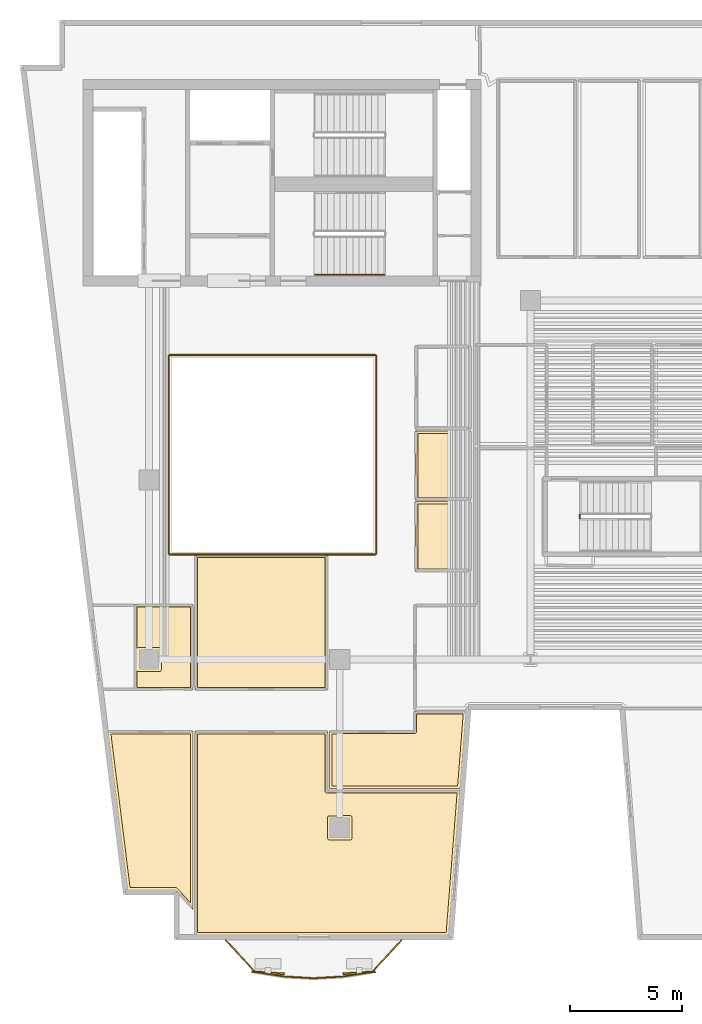
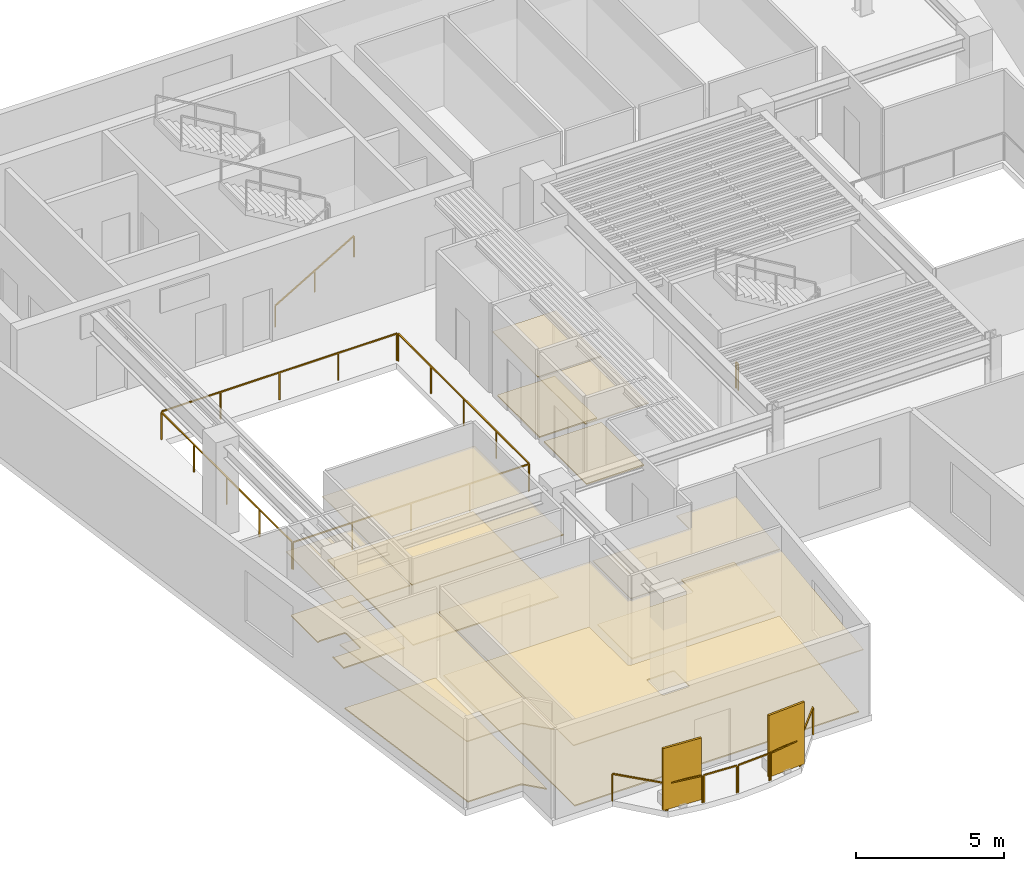
# One storey, part 8 of 10: 14 coverings, 12 railings, 2 shading devices.
"""IFC4 building model written with IfcOpenShell, lengths in metres."""

from ifc_helpers import new_model, si_unit, direction, frame, origin, origin_2d, place, context, subcontext, project, spatial, polyline, rectangle, outline, extrude, material, layer, layer_set, type_object, element, save


model = new_model("IFC4")

# Units and contexts
model_context = context("Model", 3, precision=1e-05, world=origin(), true_north=direction((0.0, 1.0)))
body_context = subcontext(model_context, "Body", "Model", "MODEL_VIEW")
ifc_project = project(units=[si_unit("LENGTHUNIT", "METRE"), si_unit("AREAUNIT", "SQUARE_METRE"), si_unit("VOLUMEUNIT", "CUBIC_METRE"), si_unit("PLANEANGLEUNIT", "RADIAN"), si_unit("MASSUNIT", "GRAM", prefix="KILO")], contexts=[model_context])

# Site, building, storey
site_placement = place(None, origin())
site = spatial("IfcSite", under=ifc_project, at=site_placement, CompositionType="ELEMENT")
building_placement = place(site_placement, origin())
building = spatial("IfcBuilding", under=site, at=building_placement, Name="Caeloran Harvest Quay", CompositionType="ELEMENT")
storey_placement = place(building_placement, frame((0.0, 0.0, 223.25)))
storey = spatial("IfcBuildingStorey", under=building, at=storey_placement, Name="L53", CompositionType="ELEMENT", Elevation=223.25)

# Coverings
ifc_material_1 = material(Name="Perforated Mineral-Fibre Acoustic Ceiling Tile", Category="ceiling")
ifc_layer_1 = layer(ifc_material_1, 0.0400390625, Name="Perforated Mineral-Fibre Acoustic Ceiling Tile")
ifc_layer_set_1 = layer_set([ifc_layer_1], Name="Perforated Mineral-Fibre Acoustic Ceiling Tile")
covering_type_1 = type_object("IfcCoveringType", Name="COV-CEILING-ACOUSTIC", PredefinedType="CEILING", material=ifc_layer_set_1)
covering_1_placement = place(storey_placement, frame((0.0, 0.0, 2.60009765625)))
element("IfcCovering", 1, at=covering_1_placement, inside=storey, type_object=covering_type_1, Name="L53 Female Washroom WC Acoustic Ceiling", PredefinedType="CEILING", context=body_context, shape_type="SweptSolid", body=[
    extrude(outline(polyline([(22.840087890625, 25.18994140625), (22.840087890625, 22.110107421875), (20.360107421875, 22.110107421875), (20.360107421875, 25.18994140625), (22.840087890625, 25.18994140625)])), origin(), (0.0, 0.0, 1.0), 0.039794921875),
])
covering_2_placement = place(storey_placement, frame((0.0, 0.0, 2.60009765625)))
element("IfcCovering", 2, at=covering_2_placement, inside=storey, type_object=covering_type_1, Name="L53 Accessible Unisex Washroom WC Acoustic Ceiling", PredefinedType="CEILING", context=body_context, shape_type="SweptSolid", body=[
    extrude(outline(polyline([(22.840087890625, 22.0400390625), (22.840087890625, 18.919921875), (20.360107421875, 18.919921875), (20.360107421875, 22.0400390625), (22.840087890625, 22.0400390625)])), origin(), (0.0, 0.0, 1.0), 0.039794921875),
])
covering_3_placement = place(storey_placement, frame((0.0, 0.0, 2.60009765625)))
element("IfcCovering", 3, at=covering_3_placement, inside=storey, type_object=covering_type_1, Name="Clean-Tech Venture Studio Acoustic Ceiling", PredefinedType="CEILING", context=body_context, shape_type="SweptSolid", body=[
    extrude(outline(polyline([(16.4599609375, 11.81005859375), (16.4599609375, 9.159912109375), (22.356201171875, 9.159912109375), (21.853515625, 2.719970703125), (10.5400390625, 2.719970703125), (10.5400390625, 11.81005859375), (16.4599609375, 11.81005859375)])), origin(), (0.0, 0.0, 1.0), 0.039794921875),
])
covering_4_placement = place(storey_placement, frame((0.0, 0.0, 2.60009765625)))
element("IfcCovering", 4, at=covering_4_placement, inside=storey, type_object=covering_type_1, Name="Portfolio Catering Kitchen Acoustic Ceiling", PredefinedType="CEILING", context=body_context, shape_type="SweptSolid", body=[
    extrude(outline(polyline([(10.4599609375, 11.81005859375), (10.4599609375, 3.851806640625), (9.812744140625, 4.56591796875), (9.77294921875, 4.639404296875), (9.673095703125, 4.719970703125), (7.54833984375, 4.719970703125), (6.666015625, 11.81005859375), (10.4599609375, 11.81005859375)])), origin(), (0.0, 0.0, 1.0), 0.039794921875),
])
covering_5_placement = place(storey_placement, frame((0.0, 0.0, 2.60009765625)))
element("IfcCovering", 5, at=covering_5_placement, inside=storey, type_object=covering_type_1, Name="Due-Diligence Meeting Hall Acoustic Ceiling", PredefinedType="CEILING", context=body_context, shape_type="SweptSolid", body=[
    extrude(outline(polyline([(20.31005859375, 11.81005859375), (20.31005859375, 12.679931640625), (22.630859375, 12.679931640625), (22.3623046875, 9.239990234375), (16.5400390625, 9.239990234375), (16.5400390625, 11.81005859375), (20.31005859375, 11.81005859375)])), origin(), (0.0, 0.0, 1.0), 0.039794921875),
])
covering_6_placement = place(storey_placement, frame((0.0, 0.0, 2.60009765625)))
element("IfcCovering", 6, at=covering_6_placement, inside=storey, type_object=covering_type_1, Name="General Partner Corner Office Acoustic Ceiling", PredefinedType="CEILING", context=body_context, shape_type="SweptSolid", body=[
    extrude(outline(polyline([(7.840087890625, 13.639892578125), (7.840087890625, 17.4599609375), (10.4599609375, 17.4599609375), (10.4599609375, 13.639892578125), (7.840087890625, 13.639892578125)])), origin(), (0.0, 0.0, 1.0), 0.039794921875),
])
covering_7_placement = place(storey_placement, frame((0.0, 0.0, 2.60009765625)))
element("IfcCovering", 7, at=covering_7_placement, inside=storey, type_object=covering_type_1, Name="Board Conference Room Acoustic Ceiling", PredefinedType="CEILING", context=body_context, shape_type="SweptSolid", body=[
    extrude(outline(polyline([(16.4599609375, 19.659912109375), (16.4599609375, 13.639892578125), (10.5400390625, 13.639892578125), (10.5400390625, 19.659912109375), (16.4599609375, 19.659912109375)])), origin(), (0.0, 0.0, 1.0), 0.039794921875),
])
ifc_material_2 = material(Name="Calcium-Sulphate Raised Access Floor and Terrazzo Finish", Category="flooring")
ifc_layer_2 = layer(ifc_material_2, 0.050048828125, Name="Calcium-Sulphate Raised Access Floor and Terrazzo Finish")
ifc_layer_set_2 = layer_set([ifc_layer_2], Name="Calcium-Sulphate Raised Access Floor and Terrazzo Finish")
covering_type_2 = type_object("IfcCoveringType", Name="COV-FLOOR-RAISED", PredefinedType="FLOORING", material=ifc_layer_set_2)
covering_8_placement = place(storey_placement, origin())
element("IfcCovering", 8, at=covering_8_placement, inside=storey, type_object=covering_type_2, Name="L53 Female Washroom WC Raised Finish Flooring", PredefinedType="FLOORING", context=body_context, shape_type="SweptSolid", body=[
    extrude(outline(polyline([(22.719970703125, 25.070068359375), (22.719970703125, 22.22998046875), (20.47998046875, 22.22998046875), (20.47998046875, 25.070068359375), (22.719970703125, 25.070068359375)])), origin(), (0.0, 0.0, 1.0), 0.050048828125),
])
covering_9_placement = place(storey_placement, origin())
element("IfcCovering", 9, at=covering_9_placement, inside=storey, type_object=covering_type_2, Name="L53 Accessible Unisex Washroom WC Raised Finish Flooring", PredefinedType="FLOORING", context=body_context, shape_type="SweptSolid", body=[
    extrude(outline(polyline([(22.719970703125, 21.919921875), (22.719970703125, 19.0400390625), (20.47998046875, 19.0400390625), (20.47998046875, 21.919921875), (22.719970703125, 21.919921875)])), origin(), (0.0, 0.0, 1.0), 0.050048828125),
])
covering_10_placement = place(storey_placement, origin())
element("IfcCovering", 10, at=covering_10_placement, inside=storey, type_object=covering_type_2, Name="Clean-Tech Venture Studio Raised Finish Flooring", PredefinedType="FLOORING", context=body_context, shape_type="SweptSolid", body=[
    extrude(outline(polyline([(10.659912109375, 11.68994140625), (16.340087890625, 11.68994140625), (16.340087890625, 9.1201171875), (16.404296875, 9.04150390625), (22.226318359375, 9.0400390625), (21.742431640625, 2.840087890625), (10.659912109375, 2.840087890625), (10.659912109375, 11.68994140625)]), holes=[polyline([(17.465087890625, 8.044921875), (16.484130859375, 8.02685546875), (16.455322265625, 7.972900390625), (16.455078125, 7.034912109375), (16.478515625, 6.978515625), (16.534912109375, 6.955078125), (17.465087890625, 6.955078125), (17.521484375, 6.978515625), (17.544921875, 7.034912109375), (17.544921875, 7.965087890625), (17.521484375, 8.021484375), (17.465087890625, 8.044921875)])]), origin(), (0.0, 0.0, 1.0), 0.050048828125),
])
covering_11_placement = place(storey_placement, origin())
element("IfcCovering", 11, at=covering_11_placement, inside=storey, type_object=covering_type_2, Name="Portfolio Catering Kitchen Raised Finish Flooring", PredefinedType="FLOORING", context=body_context, shape_type="SweptSolid", body=[
    extrude(outline(polyline([(9.76220703125, 4.80029296875), (9.69091796875, 4.840087890625), (7.654296875, 4.840087890625), (6.8017578125, 11.68994140625), (10.340087890625, 11.68994140625), (10.340087890625, 4.162841796875), (9.76220703125, 4.80029296875)])), origin(), (0.0, 0.0, 1.0), 0.050048828125),
])
covering_12_placement = place(storey_placement, origin())
element("IfcCovering", 12, at=covering_12_placement, inside=storey, type_object=covering_type_2, Name="Due-Diligence Meeting Hall Raised Finish Flooring", PredefinedType="FLOORING", context=body_context, shape_type="SweptSolid", body=[
    extrude(outline(polyline([(20.34814453125, 11.693603515625), (20.402587890625, 11.727294921875), (20.4296875, 11.793212890625), (20.429931640625, 12.56005859375), (22.501220703125, 12.56005859375), (22.25146484375, 9.360107421875), (16.659912109375, 9.360107421875), (16.659912109375, 11.68994140625), (20.34814453125, 11.693603515625)])), origin(), (0.0, 0.0, 1.0), 0.050048828125),
])
covering_13_placement = place(storey_placement, origin())
element("IfcCovering", 13, at=covering_13_placement, inside=storey, type_object=covering_type_2, Name="General Partner Corner Office Raised Finish Flooring", PredefinedType="FLOORING", context=body_context, shape_type="SweptSolid", body=[
    extrude(outline(polyline([(7.9599609375, 14.50732421875), (8.027099609375, 14.455322265625), (8.965087890625, 14.455078125), (9.021484375, 14.478515625), (9.044921875, 14.534912109375), (9.044921875, 15.465087890625), (9.015869140625, 15.52685546875), (8.034912109375, 15.544921875), (7.9599609375, 15.49267578125), (7.9599609375, 17.340087890625), (10.340087890625, 17.340087890625), (10.340087890625, 13.760009765625), (7.9599609375, 13.760009765625), (7.9599609375, 14.50732421875)])), origin(), (0.0, 0.0, 1.0), 0.050048828125),
])
covering_14_placement = place(storey_placement, origin())
element("IfcCovering", 14, at=covering_14_placement, inside=storey, type_object=covering_type_2, Name="Board Conference Room Raised Finish Flooring", PredefinedType="FLOORING", context=body_context, shape_type="SweptSolid", body=[
    extrude(outline(polyline([(16.340087890625, 19.5400390625), (16.340087890625, 13.760009765625), (10.659912109375, 13.760009765625), (10.659912109375, 19.5400390625), (16.340087890625, 19.5400390625)])), origin(), (0.0, 0.0, 1.0), 0.050048828125),
])

# Railings
ifc_material_3 = material(Name="Powder-Coated Steel Post and Laminated Glass Guardrail", Category="steel")
ifc_layer_3 = layer(ifc_material_3, 0.06005859375, Name="Powder-Coated Steel Post and Laminated Glass Guardrail")
ifc_layer_set_3 = layer_set([ifc_layer_3], Name="Powder-Coated Steel Post and Laminated Glass Guardrail")
railing_type_1 = type_object("IfcRailingType", Name="GUARD-ATRIUM-1150", PredefinedType="GUARDRAIL", material=ifc_layer_set_3)
railing_1_placement = place(storey_placement, frame((9.412109375, 19.679931640625, 0.0)))
element("IfcRailing", 15, at=railing_1_placement, inside=storey, type_object=railing_type_1, Name="L53 Skylit Atrium Void Perimeter Guardrail Seg 1", PredefinedType="GUARDRAIL", context=body_context, shape_type="SweptSolid", body=[
    extrude(rectangle(XDim=0.048095703125, YDim=0.048095703125, at=origin_2d()), frame((0.0, 0.0, 1.1259765625), z_axis=(1.0, 0.0, 0.0), x_axis=(0.0, 1.0, 0.0)), (0.0, 0.0, 1.0), 9.17578125),
    extrude(rectangle(XDim=0.0419921875, YDim=0.0419921875, at=origin_2d()), origin(), (0.0, 0.0, 1.0), 1.101806640625),
    extrude(rectangle(XDim=0.0419921875, YDim=0.0419921875, at=origin_2d()), frame((2.2939453125, 0.0, 0.0)), (0.0, 0.0, 1.0), 1.101806640625),
    extrude(rectangle(XDim=0.0419921875, YDim=0.0419921875, at=origin_2d()), frame((4.587890625, 0.0, 0.0)), (0.0, 0.0, 1.0), 1.101806640625),
    extrude(rectangle(XDim=0.0419921875, YDim=0.0419921875, at=origin_2d()), frame((6.8818359375, 0.0, 0.0)), (0.0, 0.0, 1.0), 1.101806640625),
    extrude(rectangle(XDim=0.0419921875, YDim=0.0419921875, at=origin_2d()), frame((9.17578125, 0.0, 0.0)), (0.0, 0.0, 1.0), 1.101806640625),
])
railing_2_placement = place(storey_placement, frame((18.6201171875, 19.7119140625, 0.0)))
element("IfcRailing", 16, at=railing_2_placement, inside=storey, type_object=railing_type_1, Name="L53 Skylit Atrium Void Perimeter Guardrail Seg 2", PredefinedType="GUARDRAIL", context=body_context, shape_type="SweptSolid", body=[
    extrude(rectangle(XDim=0.048095703125, YDim=0.048095703125, at=origin_2d()), frame((0.0, 0.0, 1.1259765625), z_axis=(0.0, 1.0, 0.0), x_axis=(-1.0, 0.0, 0.0)), (0.0, 0.0, 1.0), 8.826171875),
    extrude(rectangle(XDim=0.0419921875, YDim=0.0419921875, at=origin_2d()), origin(), (0.0, 0.0, 1.0), 1.101806640625),
    extrude(rectangle(XDim=0.0419921875, YDim=0.0419921875, at=origin_2d()), frame((0.0, 2.20654296875, 0.0)), (0.0, 0.0, 1.0), 1.101806640625),
    extrude(rectangle(XDim=0.0419921875, YDim=0.0419921875, at=origin_2d()), frame((0.0, 4.4130859375, 0.0)), (0.0, 0.0, 1.0), 1.101806640625),
    extrude(rectangle(XDim=0.0419921875, YDim=0.0419921875, at=origin_2d()), frame((0.0, 6.61962890625, 0.0)), (0.0, 0.0, 1.0), 1.101806640625),
    extrude(rectangle(XDim=0.0419921875, YDim=0.0419921875, at=origin_2d()), frame((0.0, 8.826171875, 0.0)), (0.0, 0.0, 1.0), 1.101806640625),
])
railing_3_placement = place(storey_placement, frame((18.587890625, 28.570068359375, 0.0)))
element("IfcRailing", 17, at=railing_3_placement, inside=storey, type_object=railing_type_1, Name="L53 Skylit Atrium Void Perimeter Guardrail Seg 3", PredefinedType="GUARDRAIL", context=body_context, shape_type="SweptSolid", body=[
    extrude(rectangle(XDim=0.048095703125, YDim=0.048095703125, at=origin_2d()), frame((0.0, 0.0, 1.1259765625), z_axis=(-1.0, 0.0, 0.0), x_axis=(0.0, -1.0, 0.0)), (0.0, 0.0, 1.0), 9.17578125),
    extrude(rectangle(XDim=0.0419921875, YDim=0.0419921875, at=origin_2d()), origin(), (0.0, 0.0, 1.0), 1.101806640625),
    extrude(rectangle(XDim=0.0419921875, YDim=0.0419921875, at=origin_2d()), frame((-2.2939453125, 0.0, 0.0)), (0.0, 0.0, 1.0), 1.101806640625),
    extrude(rectangle(XDim=0.0419921875, YDim=0.0419921875, at=origin_2d()), frame((-4.587890625, 0.0, 0.0)), (0.0, 0.0, 1.0), 1.101806640625),
    extrude(rectangle(XDim=0.0419921875, YDim=0.0419921875, at=origin_2d()), frame((-6.8818359375, 0.0, 0.0)), (0.0, 0.0, 1.0), 1.101806640625),
    extrude(rectangle(XDim=0.0419921875, YDim=0.0419921875, at=origin_2d()), frame((-9.17578125, 0.0, 0.0)), (0.0, 0.0, 1.0), 1.101806640625),
])
railing_4_placement = place(storey_placement, frame((9.3798828125, 28.5380859375, 0.0)))
element("IfcRailing", 18, at=railing_4_placement, inside=storey, type_object=railing_type_1, Name="L53 Skylit Atrium Void Perimeter Guardrail Seg 4", PredefinedType="GUARDRAIL", context=body_context, shape_type="SweptSolid", body=[
    extrude(rectangle(XDim=0.048095703125, YDim=0.048095703125, at=origin_2d()), frame((0.0, 0.0, 1.1259765625), z_axis=(0.0, -1.0, 0.0), x_axis=(1.0, 0.0, 0.0)), (0.0, 0.0, 1.0), 8.826171875),
    extrude(rectangle(XDim=0.0419921875, YDim=0.0419921875, at=origin_2d()), origin(), (0.0, 0.0, 1.0), 1.101806640625),
    extrude(rectangle(XDim=0.0419921875, YDim=0.0419921875, at=origin_2d()), frame((0.0, -2.20654296875, 0.0)), (0.0, 0.0, 1.0), 1.101806640625),
    extrude(rectangle(XDim=0.0419921875, YDim=0.0419921875, at=origin_2d()), frame((0.0, -4.4130859375, 0.0)), (0.0, 0.0, 1.0), 1.101806640625),
    extrude(rectangle(XDim=0.0419921875, YDim=0.0419921875, at=origin_2d()), frame((0.0, -6.61962890625, 0.0)), (0.0, 0.0, 1.0), 1.101806640625),
    extrude(rectangle(XDim=0.0419921875, YDim=0.0419921875, at=origin_2d()), frame((0.0, -8.826171875, 0.0)), (0.0, 0.0, 1.0), 1.101806640625),
])
ifc_material_4 = material(Name="Laminated Safety Glass and Stainless Steel 316", Category="steel")
ifc_layer_4 = layer(ifc_material_4, 0.06005859375, Name="Laminated Safety Glass and Stainless Steel 316")
ifc_layer_set_4 = layer_set([ifc_layer_4], Name="Laminated Safety Glass and Stainless Steel 316")
railing_type_2 = type_object("IfcRailingType", Name="GUARD-BALUSTRADE-1150", PredefinedType="BALUSTRADE", material=ifc_layer_set_4)
railing_5_placement = place(storey_placement, frame((19.74609375, 2.47998046875, 0.0)))
element("IfcRailing", 19, at=railing_5_placement, inside=storey, type_object=railing_type_2, Name="L53 Planted Balcony Perimeter Balustrade Guard Seg 1", PredefinedType="BALUSTRADE", context=body_context, shape_type="SweptSolid", body=[
    extrude(rectangle(XDim=0.048095703125, YDim=0.048095703125, at=origin_2d()), frame((0.0, 0.0, 1.1259765625), z_axis=(-0.679676369601, -0.733512121649, 0.0), x_axis=(0.733512121649, -0.679676369601, 0.0)), (0.0, 0.0, 1.0), 1.886474609375),
    extrude(rectangle(XDim=0.0419921875, YDim=0.0419921875, at=origin_2d()), origin(), (0.0, 0.0, 1.0), 1.101806640625),
    extrude(rectangle(XDim=0.0419921875, YDim=0.0419921875, at=origin_2d()), frame((-1.2822265625, -1.3837890625, 0.0)), (0.0, 0.0, 1.0), 1.101806640625),
])
railing_6_placement = place(storey_placement, frame((18.41064453125, 1.06787109375, 0.0)))
element("IfcRailing", 20, at=railing_6_placement, inside=storey, type_object=railing_type_2, Name="L53 Planted Balcony Perimeter Balustrade Guard Seg 2", PredefinedType="BALUSTRADE", context=body_context, shape_type="SweptSolid", body=[
    extrude(rectangle(XDim=0.048095703125, YDim=0.048095703125, at=origin_2d()), frame((0.0, 0.0, 1.1259765625), z_axis=(-0.988102684134, -0.153795596842, 0.0), x_axis=(0.153795596842, -0.988102684134, 0.0)), (0.0, 0.0, 1.0), 1.255615234375),
    extrude(rectangle(XDim=0.0419921875, YDim=0.0419921875, at=origin_2d()), origin(), (0.0, 0.0, 1.0), 1.101806640625),
    extrude(rectangle(XDim=0.0419921875, YDim=0.0419921875, at=origin_2d()), frame((-1.24072265625, -0.193115234375, 0.0)), (0.0, 0.0, 1.0), 1.101806640625),
])
railing_7_placement = place(storey_placement, frame((17.1064453125, 0.8681640625, 0.0)))
element("IfcRailing", 21, at=railing_7_placement, inside=storey, type_object=railing_type_2, Name="L53 Planted Balcony Perimeter Balustrade Guard Seg 3", PredefinedType="BALUSTRADE", context=body_context, shape_type="SweptSolid", body=[
    extrude(rectangle(XDim=0.048095703125, YDim=0.048095703125, at=origin_2d()), frame((0.0, 0.0, 1.1259765625), z_axis=(-0.998385060589, -0.056809073146, 0.0), x_axis=(0.056809073146, -0.998385060589, 0.0)), (0.0, 0.0, 1.0), 1.241943359375),
    extrude(rectangle(XDim=0.0419921875, YDim=0.0419921875, at=origin_2d()), origin(), (0.0, 0.0, 1.0), 1.101806640625),
    extrude(rectangle(XDim=0.0419921875, YDim=0.0419921875, at=origin_2d()), frame((-1.239990234375, -0.070556640625, 0.0)), (0.0, 0.0, 1.0), 1.101806640625),
])
railing_8_placement = place(storey_placement, frame((15.802490234375, 0.797607421875, 0.0)))
element("IfcRailing", 22, at=railing_8_placement, inside=storey, type_object=railing_type_2, Name="L53 Planted Balcony Perimeter Balustrade Guard Seg 4", PredefinedType="BALUSTRADE", context=body_context, shape_type="SweptSolid", body=[
    extrude(rectangle(XDim=0.048095703125, YDim=0.048095703125, at=origin_2d()), frame((0.0, 0.0, 1.1259765625), z_axis=(-0.998385060589, 0.056809073146, 0.0), x_axis=(-0.056809073146, -0.998385060589, 0.0)), (0.0, 0.0, 1.0), 1.241943359375),
    extrude(rectangle(XDim=0.0419921875, YDim=0.0419921875, at=origin_2d()), origin(), (0.0, 0.0, 1.0), 1.101806640625),
    extrude(rectangle(XDim=0.0419921875, YDim=0.0419921875, at=origin_2d()), frame((-1.239990234375, 0.070556640625, 0.0)), (0.0, 0.0, 1.0), 1.101806640625),
])
railing_9_placement = place(storey_placement, frame((14.4990234375, 0.874755859375, 0.0)))
element("IfcRailing", 23, at=railing_9_placement, inside=storey, type_object=railing_type_2, Name="L53 Planted Balcony Perimeter Balustrade Guard Seg 5", PredefinedType="BALUSTRADE", context=body_context, shape_type="SweptSolid", body=[
    extrude(rectangle(XDim=0.048095703125, YDim=0.048095703125, at=origin_2d()), frame((0.0, 0.0, 1.1259765625), z_axis=(-0.988102684134, 0.153795596842, 0.0), x_axis=(-0.153795596842, -0.988102684134, 0.0)), (0.0, 0.0, 1.0), 1.255615234375),
    extrude(rectangle(XDim=0.0419921875, YDim=0.0419921875, at=origin_2d()), origin(), (0.0, 0.0, 1.0), 1.101806640625),
    extrude(rectangle(XDim=0.0419921875, YDim=0.0419921875, at=origin_2d()), frame((-1.24072265625, 0.193115234375, 0.0)), (0.0, 0.0, 1.0), 1.101806640625),
])
railing_10_placement = place(storey_placement, frame((13.205078125, 1.09619140625, 0.0)))
element("IfcRailing", 24, at=railing_10_placement, inside=storey, type_object=railing_type_2, Name="L53 Planted Balcony Perimeter Balustrade Guard Seg 6", PredefinedType="BALUSTRADE", context=body_context, shape_type="SweptSolid", body=[
    extrude(rectangle(XDim=0.048095703125, YDim=0.048095703125, at=origin_2d()), frame((0.0, 0.0, 1.1259765625), z_axis=(-0.679606731111, 0.733576642913, 0.0), x_axis=(-0.733576642913, -0.679606731111, 0.0)), (0.0, 0.0, 1.0), 1.886474609375),
    extrude(rectangle(XDim=0.0419921875, YDim=0.0419921875, at=origin_2d()), origin(), (0.0, 0.0, 1.0), 1.101806640625),
    extrude(rectangle(XDim=0.0419921875, YDim=0.0419921875, at=origin_2d()), frame((-1.281982421875, 1.3837890625, 0.0)), (0.0, 0.0, 1.0), 1.101806640625),
])

# Shading devices
ifc_material_5 = material(Name="3003-H14 Perforated Powder-Coated Aluminium", Category="aluminium")
shading_device_type = type_object("IfcShadingDeviceType", Name="SHADE-SCREEN-FOLDED", PredefinedType="USERDEFINED", material=ifc_material_5)
for number, where, z_axis, x_axis, name in (
    (25, (17.868408203125, 1.03662109375, 0.0751953125), (0.0, 0.0, 1.0), (0.997801468292, 0.0662739004, 0.0), "L53 Folded Facade Breathing Screen 1"),
    (26, (13.800537109375, 1.03662109375, 0.0751953125), (0.0, 0.0, 1.0), (0.997801468292, -0.0662739004, 0.0), "L53 Folded Facade Breathing Screen 2"),
):
    element("IfcShadingDevice", number, at=place(storey_placement, frame(where, z_axis=z_axis, x_axis=x_axis)), inside=storey, type_object=shading_device_type, Name=name, ObjectType="SCREEN", PredefinedType="USERDEFINED", context=body_context, shape_type="SweptSolid", body=[
        extrude(rectangle(XDim=1.449951171875, YDim=0.080078125, at=origin_2d()), origin(), (0.0, 0.0, 1.0), 2.550048828125),
    ])

# Railings
ifc_material_6 = material(Name="Painted Steel Baluster and Top-Rail Stair Guard", Category="steel")
ifc_layer_5 = layer(ifc_material_6, 0.050048828125, Name="Painted Steel Baluster and Top-Rail Stair Guard")
ifc_layer_set_5 = layer_set([ifc_layer_5], Name="Painted Steel Baluster and Top-Rail Stair Guard")
railing_type_3 = type_object("IfcRailingType", Name="STAIR-GUARD-1100", PredefinedType="GUARDRAIL", material=ifc_layer_set_5)
railing_11_placement = place(storey_placement, frame((27.699951171875, 21.300048828125, 0.0)))
element("IfcRailing", 27, at=railing_11_placement, inside=storey, type_object=railing_type_3, Name="L53 ST-W1 stair guard 4", PredefinedType="GUARDRAIL", context=body_context, shape_type="SweptSolid", body=[
    extrude(rectangle(XDim=0.048095703125, YDim=0.048095703125, at=origin_2d()), frame((0.0, 0.0, 1.076171875), z_axis=(0.0, 1.0, 0.0), x_axis=(-1.0, 0.0, 0.0)), (0.0, 0.0, 1.0), 0.14990234375),
    extrude(rectangle(XDim=0.0419921875, YDim=0.0419921875, at=origin_2d()), origin(), (0.0, 0.0, 1.0), 1.052001953125),
    extrude(rectangle(XDim=0.0419921875, YDim=0.0419921875, at=origin_2d()), frame((0.0, 0.14990234375, 0.0)), (0.0, 0.0, 1.0), 1.052001953125),
])
ifc_material_7 = material(Name="Brushed Stainless Steel Grade 304", Category="steel")
ifc_layer_6 = layer(ifc_material_7, 0.050048828125, Name="Brushed Stainless Steel Grade 304")
ifc_layer_set_6 = layer_set([ifc_layer_6], Name="Brushed Stainless Steel Grade 304")
railing_type_4 = type_object("IfcRailingType", Name="STAIR-HANDRAIL-900", PredefinedType="HANDRAIL", material=ifc_layer_set_6)
railing_12_placement = place(storey_placement, frame((15.89990234375, 32.14990234375, 0.16455078125)))
element("IfcRailing", 28, at=railing_12_placement, inside=storey, type_object=railing_type_4, Name="L53 ST-C2 stair handrail 1", PredefinedType="HANDRAIL", context=body_context, shape_type="SweptSolid", body=[
    extrude(rectangle(XDim=0.048095703125, YDim=0.048095703125, at=origin_2d()), frame((0.0, 0.0, 0.8759765625), z_axis=(0.862088758681, 0.0, 0.506757310905), x_axis=(0.0, 1.0, 0.0)), (0.0, 0.0, 1.0), 3.57275390625),
    extrude(rectangle(XDim=0.0419921875, YDim=0.0419921875, at=origin_2d()), origin(), (0.0, 0.0, 1.0), 0.851806640625),
    extrude(rectangle(XDim=0.0419921875, YDim=0.0419921875, at=origin_2d()), frame((1.5400390625, 0.0, 0.9052734375)), (0.0, 0.0, 1.0), 0.851806640625),
    extrude(rectangle(XDim=0.0419921875, YDim=0.0419921875, at=origin_2d()), frame((3.080078125, 0.0, 1.810546875)), (0.0, 0.0, 1.0), 0.851806640625),
])

save(model, "model.ifc")
